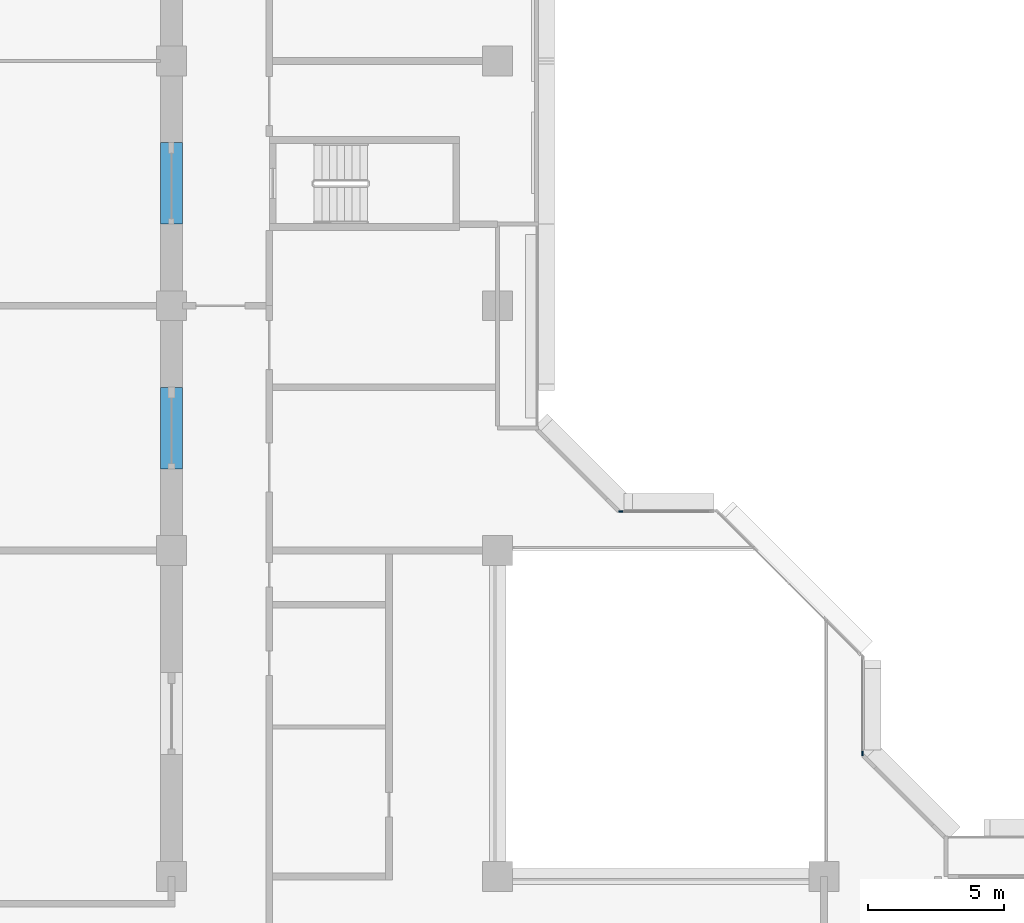
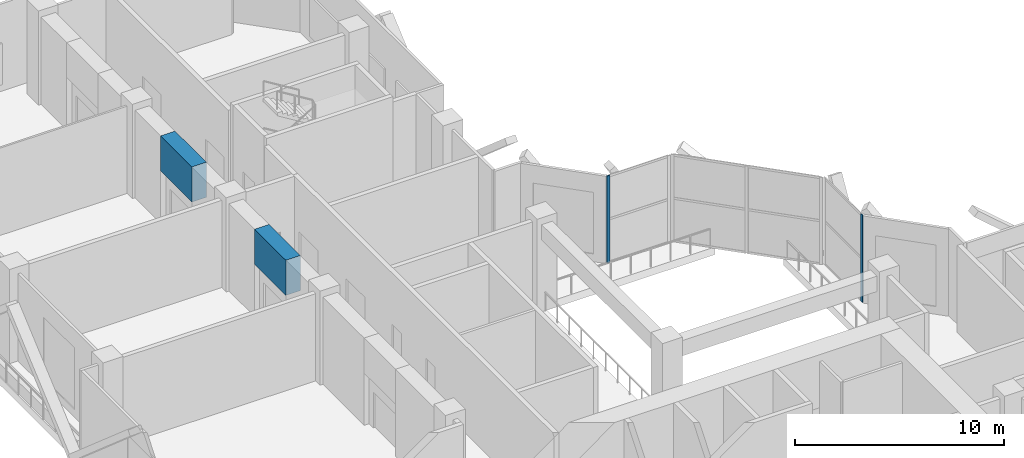
# One storey, part 2 of 14: 2 beams, 2 members, 2 elements without a shape of their own.
"""IFC4 building model written with IfcOpenShell, lengths in metres."""

from ifc_helpers import new_model, si_unit, direction, frame, origin, origin_2d, place, context, subcontext, project, spatial, rectangle, extrude, material, layer, layer_set, material_profile, profile_set, type_object, element, aggregate, save


model = new_model("IFC4")

# Units and contexts
model_context = context("Model", 3, precision=1e-05, world=origin(), true_north=direction((0.0, 1.0)))
body_context = subcontext(model_context, "Body", "Model", "MODEL_VIEW")
ifc_project = project(units=[si_unit("LENGTHUNIT", "METRE"), si_unit("AREAUNIT", "SQUARE_METRE"), si_unit("VOLUMEUNIT", "CUBIC_METRE"), si_unit("PLANEANGLEUNIT", "RADIAN"), si_unit("MASSUNIT", "GRAM", prefix="KILO")], contexts=[model_context])

# Site, building, storey
site_placement = place(None, origin())
site = spatial("IfcSite", under=ifc_project, at=site_placement, CompositionType="ELEMENT")
building_placement = place(site_placement, origin())
building = spatial("IfcBuilding", under=site, at=building_placement, Name="Chenar Terraces", CompositionType="ELEMENT")
storey_placement = place(building_placement, frame((0.0, 0.0, 86.39990234375)))
storey = spatial("IfcBuildingStorey", under=building, at=storey_placement, Name="L19", CompositionType="ELEMENT", Elevation=86.39990234375)

# Curtain wall, member
ifc_material_1 = material(Name="Aluminium framed glazing", Category="aluminium")
ifc_layer = layer(ifc_material_1, 0.14990234375)
ifc_layer_set = layer_set([ifc_layer], Name="Aluminium framed glazing")
curtain_wall_type = type_object("IfcCurtainWallType", Name="Atrium curtain wall", PredefinedType="NOTDEFINED", material=ifc_layer_set)
placement = place(storey_placement, origin())
curtain_wall_1 = element("IfcCurtainWall", 1, at=placement, inside=storey, type_object=curtain_wall_type, Name="Atrium curtain wall", PredefinedType="NOTDEFINED")
ifc_material_2 = material(Name="Aluminium", Category="aluminium")
ifc_material_profile_1 = material_profile(ifc_material_2, rectangle(XDim=0.06005859375, YDim=0.159912109375, at=origin_2d()), Name="Atrium glazing mullion 60 x 160")
ifc_profile_set_1 = profile_set([ifc_material_profile_1], Name="Aluminium")
member_type = type_object("IfcMemberType", Name="Atrium glazing mullion 60 x 160", PredefinedType="MULLION", material=ifc_profile_set_1)
member_1_placement = place(storey_placement, frame((37.425048828125, 28.530029296875, 0.0), z_axis=(0.0, 0.0, 1.0), x_axis=(-1.0, 0.0, 0.0)))
member_1 = element("IfcMember", 2, at=member_1_placement, type_object=member_type, Name="CW1-1 mullion 1", PredefinedType="MULLION", context=body_context, shape_type="SweptSolid", body=[
    extrude(rectangle(XDim=0.06005859375, YDim=0.159912109375, at=origin_2d()), origin(), (0.0, 0.0, 1.0), 5.10009765625),
])
aggregate(curtain_wall_1, [member_1])

curtain_wall_2 = element("IfcCurtainWall", 3, at=placement, inside=storey, type_object=curtain_wall_type, Name="Atrium curtain wall", PredefinedType="NOTDEFINED")
member_2_placement = place(storey_placement, frame((28.530029296875, 37.425048828125, 0.0), z_axis=(0.0, 0.0, 1.0), x_axis=(0.0, -1.0, 0.0)))
member_2 = element("IfcMember", 4, at=member_2_placement, type_object=member_type, Name="CW1-3 mullion 2", PredefinedType="MULLION", context=body_context, shape_type="SweptSolid", body=[
    extrude(rectangle(XDim=0.06005859375, YDim=0.159912109375, at=origin_2d()), origin(), (0.0, 0.0, 1.0), 5.10009765625),
])
aggregate(curtain_wall_2, [member_2])

# Beams
ifc_material_3 = material(Name="Concrete C70/85", Category="concrete")
ifc_material_profile_2 = material_profile(ifc_material_3, rectangle(XDim=0.800048828125, YDim=2.050048828125, at=origin_2d()), Name="RC 800 x 2050")
ifc_profile_set_2 = profile_set([ifc_material_profile_2], Name="Concrete C70/85")
beam_type = type_object("IfcBeamType", Name="Belt lintel beam 800 x 2050 Concrete C70/85", PredefinedType="BEAM", material=ifc_profile_set_2)
for number, where, z_axis, x_axis, name in (
    (5, (12.0, 39.0, 4.0751953125), (0.0, 1.0, 0.0), (-1.0, 0.0, 0.0), "Belt lintel beam L19 B2"),
    (6, (12.0, 48.0, 4.0751953125), (0.0, 1.0, 0.0), (-1.0, 0.0, 0.0), "Belt lintel beam L19 B3"),
):
    element("IfcBeam", number, at=place(storey_placement, frame(where, z_axis=z_axis, x_axis=x_axis)), inside=storey, type_object=beam_type, Name=name, PredefinedType="BEAM", context=body_context, shape_type="SweptSolid", body=[
        extrude(rectangle(XDim=0.800048828125, YDim=2.050048828125, at=origin_2d()), origin(), (0.0, 0.0, 1.0), 3.0),
    ])

save(model, "model.ifc")
